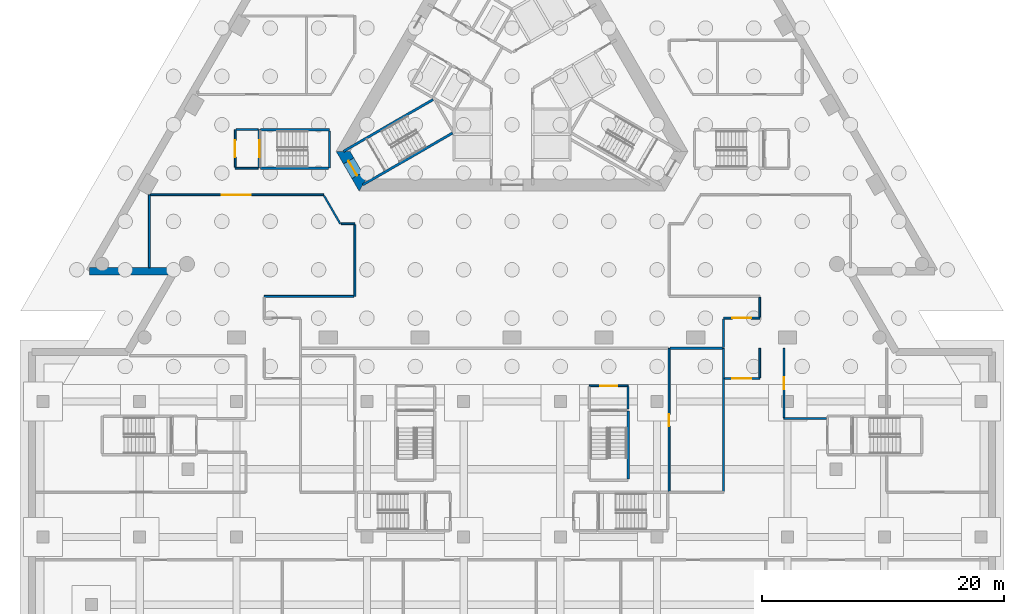
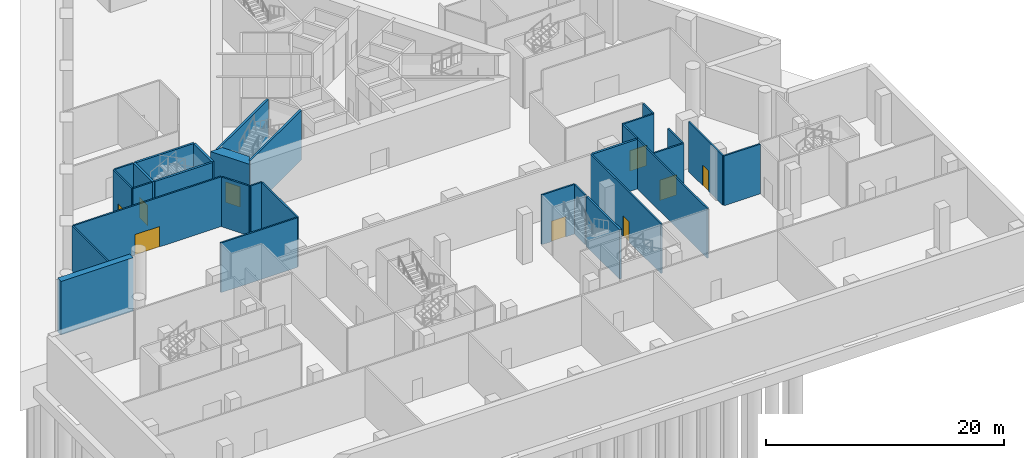
# One storey, part 5 of 20: 30 walls, 9 doors, 9 openings.
"""IFC4 building model written with IfcOpenShell, lengths in metres."""

from ifc_helpers import new_model, si_unit, direction, frame, frame_2d, origin, place, context, subcontext, project, spatial, polyline, rectangle, outline, extrude, material, layer, layer_set, type_object, element, fill, save


model = new_model("IFC4")

# Units and contexts
model_context = context("Model", 3, precision=1e-05, world=origin(), true_north=direction((0.0, 1.0)))
body_context = subcontext(model_context, "Body", "Model", "MODEL_VIEW")
ifc_project = project(units=[si_unit("LENGTHUNIT", "METRE"), si_unit("AREAUNIT", "SQUARE_METRE"), si_unit("VOLUMEUNIT", "CUBIC_METRE"), si_unit("PLANEANGLEUNIT", "RADIAN"), si_unit("MASSUNIT", "GRAM", prefix="KILO")], contexts=[model_context])

# Site, building, storey
site_placement = place(None, origin())
site = spatial("IfcSite", under=ifc_project, at=site_placement, CompositionType="ELEMENT")
building_placement = place(site_placement, origin())
building = spatial("IfcBuilding", under=site, at=building_placement, Name="Triada Interchange Tower", CompositionType="ELEMENT")
storey_placement = place(building_placement, frame((0.0, 0.0, -5.5)))
storey = spatial("IfcBuildingStorey", under=building, at=storey_placement, Name="B1", CompositionType="ELEMENT", Elevation=-5.5)

# Walls
ifc_material_1 = material(Name="Concrete C30/37", Category="concrete")
ifc_layer_1 = layer(ifc_material_1, 0.60009765625)
ifc_layer_set_1 = layer_set([ifc_layer_1], Name="Basement retaining wall 600")
wall_type_1 = type_object("IfcWallType", Name="Basement retaining wall 600", PredefinedType="SOLIDWALL", material=ifc_layer_set_1)
wall_1_placement = place(storey_placement, frame((-34.944091796875, -16.125, -0.39990234375), z_axis=(0.0, 0.0, 1.0), x_axis=(1.0, 0.0, 0.0)))
element("IfcWall", 1, at=wall_1_placement, inside=storey, type_object=wall_type_1, Name="Retaining wall 09", PredefinedType="SOLIDWALL", context=body_context, shape_type="SweptSolid", body=[
    extrude(rectangle(XDim=7.01513671875, YDim=0.60009765625, at=frame_2d((3.507568359375, 0.0))), origin(), (0.0, 0.0, 1.0), 5.5),
])
ifc_layer_2 = layer(ifc_material_1, 0.199951171875)
ifc_layer_set_2 = layer_set([ifc_layer_2], Name="COMPARTMENT WALL 200 EI 180")
wall_type_2 = type_object("IfcWallType", Name="COMPARTMENT WALL 200 EI 180", PredefinedType="SOLIDWALL", material=ifc_layer_set_2)
wall_2_placement = place(storey_placement, frame((13.074951171875, -22.5, 0.0), z_axis=(0.0, 0.0, 1.0), x_axis=(1.0, 0.0, 0.0)))
element("IfcWall", 2, at=wall_2_placement, inside=storey, type_object=wall_type_2, Name="Compartment wall B1 32", PredefinedType="SOLIDWALL", context=body_context, shape_type="SweptSolid", body=[
    extrude(rectangle(XDim=4.35009765625, YDim=0.199951171875, at=frame_2d((2.175048828125, 0.0))), origin(), (0.0, 0.0, 1.0), 5.10009765625),
])
ifc_layer_3 = layer(ifc_material_1, 0.199951171875)
ifc_layer_set_3 = layer_set([ifc_layer_3], Name="CORE WALL 200 REI 240")
wall_type_3 = type_object("IfcWallType", Name="CORE WALL 200 REI 240", PredefinedType="SOLIDWALL", material=ifc_layer_set_3)
wall_3_placement = place(storey_placement, frame((-13.946044921875, -6.2041015625, 0.0), z_axis=(0.0, 0.0, 1.0), x_axis=(0.866036527536, 0.499980732602, 0.0)))
element("IfcWall", 3, at=wall_3_placement, inside=storey, type_object=wall_type_3, Name="Wall B1 117", PredefinedType="SOLIDWALL", context=body_context, shape_type="SweptSolid", body=[
    extrude(rectangle(XDim=8.564208984375, YDim=0.199951171875, at=frame_2d((4.2822265625, 0.0))), origin(), (0.0, 0.0, 1.0), 5.10009765625),
])
wall_4_placement = place(storey_placement, frame((-12.345947265625, -8.97607421875, 0.0), z_axis=(0.0, 0.0, 1.0), x_axis=(0.866006929508, 0.50003199702, 0.0)))
element("IfcWall", 4, at=wall_4_placement, inside=storey, type_object=wall_type_3, Name="Wall B1 119", PredefinedType="SOLIDWALL", context=body_context, shape_type="SweptSolid", body=[
    extrude(rectangle(XDim=8.57958984375, YDim=0.199951171875, at=frame_2d((4.289794921875, 0.0))), origin(), (0.0, 0.0, 1.0), 5.10009765625),
])

# Wall, opening, door
wall_5_placement = place(storey_placement, frame((-20.89990234375, -7.60009765625, 0.0), z_axis=(0.0, 0.0, 1.0), x_axis=(0.0, 1.0, 0.0)))
wall_5 = element("IfcWall", 5, at=wall_5_placement, inside=storey, type_object=wall_type_3, Name="Wall B1 132", PredefinedType="SOLIDWALL", context=body_context, shape_type="SweptSolid", body=[
    extrude(rectangle(XDim=3.2001953125, YDim=0.199951171875, at=frame_2d((1.60009765625, 0.0))), origin(), (0.0, 0.0, 1.0), 5.10009765625),
])
opening_1_placement = place(wall_5_placement, frame((0.89990234375, 0.0, 0.0)))
opening_1 = element("IfcOpeningElement", 6, at=opening_1_placement, cuts=wall_5, Name="Opening D1-13", PredefinedType="OPENING", context=body_context, shape_type="SweptSolid", body=[
    extrude(rectangle(XDim=1.39990234375, YDim=2.10009765625, at=frame_2d((0.699951171875, 1.050048828125))), frame((0.0, 0.10986328125, 0.0), z_axis=(0.0, -1.0, 0.0), x_axis=(1.0, 0.0, 0.0)), (0.0, 0.0, 1.0), 0.219970703125),
])
ifc_material_2 = material(Name="Steel S235 door leaf", Category="steel")
door_type_1 = type_object("IfcDoorType", Name="STAIR DOOR 1400 EI2 90-C5S200", OperationType="DOUBLE_DOOR_SINGLE_SWING", PredefinedType="DOOR", material=ifc_material_2)
door_1_placement = place(opening_1_placement, origin())
door_1 = element("IfcDoor", 7, at=door_1_placement, inside=storey, type_object=door_type_1, Name="Door D1-13 B1", OperationType="DOUBLE_DOOR_SINGLE_SWING", OverallHeight=2.10009765625, OverallWidth=1.39990234375, PredefinedType="DOOR", context=body_context, shape_type="SweptSolid", body=[
    extrude(rectangle(XDim=1.39990234375, YDim=2.10009765625, at=frame_2d((0.699951171875, 1.050048828125))), frame((0.0, 0.02490234375, 0.0), z_axis=(0.0, -1.0, 0.0), x_axis=(1.0, 0.0, 0.0)), (0.0, 0.0, 1.0), 0.050048828125),
])
fill(opening_1, door_1)

# Walls
wall_6_placement = place(storey_placement, frame((-20.800048828125, -4.39990234375, 0.0), z_axis=(0.0, 0.0, 1.0), x_axis=(1.0, 0.0, 0.0)))
element("IfcWall", 8, at=wall_6_placement, inside=storey, type_object=wall_type_3, Name="Wall B1 133", PredefinedType="SOLIDWALL", context=body_context, shape_type="SweptSolid", body=[
    extrude(rectangle(XDim=5.699951171875, YDim=0.199951171875, at=frame_2d((2.85009765625, 0.0))), origin(), (0.0, 0.0, 1.0), 5.10009765625),
])
wall_7_placement = place(storey_placement, frame((-15.10009765625, -7.60009765625, 0.0), z_axis=(0.0, 0.0, 1.0), x_axis=(0.0, 1.0, 0.0)))
element("IfcWall", 9, at=wall_7_placement, inside=storey, type_object=wall_type_3, Name="Wall B1 135", PredefinedType="SOLIDWALL", context=body_context, shape_type="SweptSolid", body=[
    extrude(rectangle(XDim=3.10009765625, YDim=0.199951171875, at=frame_2d((1.550048828125, 0.0))), origin(), (0.0, 0.0, 1.0), 5.10009765625),
])
for number, where, z_axis, x_axis, name in (
    (10, (-20.800048828125, -7.60009765625, 0.0), (0.0, 0.0, 1.0), (1.0, 0.0, 0.0), "Wall B1 136"),
    (11, (9.60009765625, -33.300048828125, 0.0), (0.0, 0.0, 1.0), (0.0, 1.0, 0.0), "Wall B1 150"),
):
    element("IfcWall", number, at=place(storey_placement, frame(where, z_axis=z_axis, x_axis=x_axis)), inside=storey, type_object=wall_type_3, Name=name, PredefinedType="SOLIDWALL", context=body_context, shape_type="SweptSolid", body=[
        extrude(rectangle(XDim=5.60009765625, YDim=0.199951171875, at=frame_2d((2.800048828125, 0.0))), origin(), (0.0, 0.0, 1.0), 5.10009765625),
    ])

# Wall, opening, door
ifc_material_3 = material(Name="Concrete C70/85", Category="concrete")
ifc_layer_4 = layer(ifc_material_3, 1.0)
ifc_layer_set_4 = layer_set([ifc_layer_4], Name="Core wall P 1000")
wall_type_4 = type_object("IfcWallType", Name="Core wall P 1000", PredefinedType="SHEAR", material=ifc_layer_set_4)
wall_8_placement = place(storey_placement, frame((-13.971923828125, -6.199951171875, -0.39990234375), z_axis=(0.0, 0.0, 1.0), x_axis=(0.500077567175, -0.865980615723, 0.0)))
wall_8 = element("IfcWall", 12, at=wall_8_placement, inside=storey, type_object=wall_type_4, Name="Core wall WP03 B1", PredefinedType="SHEAR", context=body_context, shape_type="SweptSolid", body=[
    extrude(outline(polyline([(-0.2890625, -0.5), (1.616455078125, -0.5), (3.52197265625, -0.5), (2.944091796875, 0.4990234375), (1.61669921875, 0.49951171875), (0.2890625, 0.5), (-0.2890625, -0.5)])), origin(), (0.0, 0.0, 1.0), 5.5),
])
opening_2_placement = place(wall_8_placement, frame((0.9169921875, 0.0, 0.39990234375)))
opening_2 = element("IfcOpeningElement", 13, at=opening_2_placement, cuts=wall_8, Name="Opening D1-46", PredefinedType="OPENING", context=body_context, shape_type="SweptSolid", body=[
    extrude(rectangle(XDim=1.39990234375, YDim=2.10009765625, at=frame_2d((0.699951171875, 1.050048828125))), frame((0.0, 0.510009765625, 0.0), z_axis=(0.0, -1.0, 0.0), x_axis=(1.0, 0.0, 0.0)), (0.0, 0.0, 1.0), 1.02001953125),
])
door_2_placement = place(opening_2_placement, origin())
door_2 = element("IfcDoor", 14, at=door_2_placement, inside=storey, type_object=door_type_1, Name="Door D1-46 B1", OperationType="DOUBLE_DOOR_SINGLE_SWING", OverallHeight=2.10009765625, OverallWidth=1.39990234375, PredefinedType="DOOR", context=body_context, shape_type="SweptSolid", body=[
    extrude(rectangle(XDim=1.39990234375, YDim=2.10009765625, at=frame_2d((0.699951171875, 1.050048828125))), frame((0.0, 0.02490234375, 0.0), z_axis=(0.0, -1.0, 0.0), x_axis=(1.0, 0.0, 0.0)), (0.0, 0.0, 1.0), 0.050048828125),
])
fill(opening_2, door_2)

# Wall
ifc_material_4 = material(Name="Gypsum board partition")
ifc_layer_5 = layer(ifc_material_4, 0.14990234375)
ifc_layer_set_5 = layer_set([ifc_layer_5], Name="PARTITION 150 EI 180")
wall_type_5 = type_object("IfcWallType", Name="PARTITION 150 EI 180", PredefinedType="PARTITIONING", material=ifc_layer_set_5)
wall_9_placement = place(storey_placement, frame((-22.89990234375, -7.60009765625, 0.0), z_axis=(0.0, 0.0, 1.0), x_axis=(1.0, 0.0, 0.0)))
element("IfcWall", 15, at=wall_9_placement, inside=storey, type_object=wall_type_5, Name="Wall B1 7", PredefinedType="PARTITIONING", context=body_context, shape_type="SweptSolid", body=[
    extrude(rectangle(XDim=1.89990234375, YDim=0.14990234375, at=frame_2d((0.949951171875, 0.0))), origin(), (0.0, 0.0, 1.0), 5.10009765625),
])

# Wall, opening, door
wall_10_placement = place(storey_placement, frame((-22.89990234375, -7.52490234375, 0.0), z_axis=(0.0, 0.0, 1.0), x_axis=(0.0, 1.0, 0.0)))
wall_10 = element("IfcWall", 16, at=wall_10_placement, inside=storey, type_object=wall_type_5, Name="Wall B1 9", PredefinedType="PARTITIONING", context=body_context, shape_type="SweptSolid", body=[
    extrude(rectangle(XDim=3.125, YDim=0.14990234375, at=frame_2d((1.5625, 0.0))), origin(), (0.0, 0.0, 1.0), 5.10009765625),
])
opening_3_placement = place(wall_10_placement, frame((0.824951171875, 0.0, 0.0)))
opening_3 = element("IfcOpeningElement", 17, at=opening_3_placement, cuts=wall_10, Name="Opening D1-14", PredefinedType="OPENING", context=body_context, shape_type="SweptSolid", body=[
    extrude(rectangle(XDim=1.39990234375, YDim=2.10009765625, at=frame_2d((0.699951171875, 1.050048828125))), frame((0.0, 0.0849609375, 0.0), z_axis=(0.0, -1.0, 0.0), x_axis=(1.0, 0.0, 0.0)), (0.0, 0.0, 1.0), 0.169921875),
])
door_3_placement = place(opening_3_placement, origin())
door_3 = element("IfcDoor", 18, at=door_3_placement, inside=storey, type_object=door_type_1, Name="Door D1-14 B1", OperationType="DOUBLE_DOOR_SINGLE_SWING", OverallHeight=2.10009765625, OverallWidth=1.39990234375, PredefinedType="DOOR", context=body_context, shape_type="SweptSolid", body=[
    extrude(rectangle(XDim=1.39990234375, YDim=2.10009765625, at=frame_2d((0.699951171875, 1.050048828125))), frame((0.0, 0.02490234375, 0.0), z_axis=(0.0, -1.0, 0.0), x_axis=(1.0, 0.0, 0.0)), (0.0, 0.0, 1.0), 0.050048828125),
])
fill(opening_3, door_3)

# Wall
wall_11_placement = place(storey_placement, frame((-22.824951171875, -4.39990234375, 0.0), z_axis=(0.0, 0.0, 1.0), x_axis=(1.0, 0.0, 0.0)))
element("IfcWall", 19, at=wall_11_placement, inside=storey, type_object=wall_type_5, Name="Wall B1 10", PredefinedType="PARTITIONING", context=body_context, shape_type="SweptSolid", body=[
    extrude(rectangle(XDim=1.824951171875, YDim=0.14990234375, at=frame_2d((0.91259765625, 0.0))), origin(), (0.0, 0.0, 1.0), 5.10009765625),
])

# Wall, opening, door
wall_12_placement = place(storey_placement, frame((6.39990234375, -25.60009765625, 0.0), z_axis=(0.0, 0.0, 1.0), x_axis=(1.0, 0.0, 0.0)))
wall_12 = element("IfcWall", 20, at=wall_12_placement, inside=storey, type_object=wall_type_5, Name="Wall B1 15", PredefinedType="PARTITIONING", context=body_context, shape_type="SweptSolid", body=[
    extrude(rectangle(XDim=3.2001953125, YDim=0.14990234375, at=frame_2d((1.60009765625, 0.0))), origin(), (0.0, 0.0, 1.0), 5.10009765625),
])
opening_4_placement = place(wall_12_placement, frame((0.89990234375, 0.0, 0.0)))
opening_4 = element("IfcOpeningElement", 21, at=opening_4_placement, cuts=wall_12, Name="Opening D1-22", PredefinedType="OPENING", context=body_context, shape_type="SweptSolid", body=[
    extrude(rectangle(XDim=1.39990234375, YDim=2.10009765625, at=frame_2d((0.699951171875, 1.050048828125))), frame((0.0, 0.0849609375, 0.0), z_axis=(0.0, -1.0, 0.0), x_axis=(1.0, 0.0, 0.0)), (0.0, 0.0, 1.0), 0.169921875),
])
door_4_placement = place(opening_4_placement, origin())
door_4 = element("IfcDoor", 22, at=door_4_placement, inside=storey, type_object=door_type_1, Name="Door D1-22 B1", OperationType="DOUBLE_DOOR_SINGLE_SWING", OverallHeight=2.10009765625, OverallWidth=1.39990234375, PredefinedType="DOOR", context=body_context, shape_type="SweptSolid", body=[
    extrude(rectangle(XDim=1.39990234375, YDim=2.10009765625, at=frame_2d((0.699951171875, 1.050048828125))), frame((0.0, 0.02490234375, 0.0), z_axis=(0.0, -1.0, 0.0), x_axis=(1.0, 0.0, 0.0)), (0.0, 0.0, 1.0), 0.050048828125),
])
fill(opening_4, door_4)

# Walls
wall_13_placement = place(storey_placement, frame((9.60009765625, -27.5, 0.0), z_axis=(0.0, 0.0, 1.0), x_axis=(0.0, 1.0, 0.0)))
element("IfcWall", 23, at=wall_13_placement, inside=storey, type_object=wall_type_5, Name="Wall B1 27", PredefinedType="PARTITIONING", context=body_context, shape_type="SweptSolid", body=[
    extrude(rectangle(XDim=1.824951171875, YDim=0.14990234375, at=frame_2d((0.91259765625, 0.0))), origin(), (0.0, 0.0, 1.0), 5.10009765625),
])
wall_14_placement = place(storey_placement, frame((17.5, -34.324951171875, 0.0), z_axis=(0.0, 0.0, 1.0), x_axis=(0.0, 1.0, 0.0)))
element("IfcWall", 24, at=wall_14_placement, inside=storey, type_object=wall_type_5, Name="Wall B1 30", PredefinedType="PARTITIONING", context=body_context, shape_type="SweptSolid", body=[
    extrude(rectangle(XDim=11.824951171875, YDim=0.14990234375, at=frame_2d((5.91259765625, 0.0))), origin(), (0.0, 0.0, 1.0), 5.10009765625),
])

# Wall, opening, door
wall_15_placement = place(storey_placement, frame((13.0, -34.324951171875, 0.0), z_axis=(0.0, 0.0, 1.0), x_axis=(0.0, 1.0, 0.0)))
wall_15 = element("IfcWall", 25, at=wall_15_placement, inside=storey, type_object=wall_type_5, Name="Wall B1 31", PredefinedType="PARTITIONING", context=body_context, shape_type="SweptSolid", body=[
    extrude(rectangle(XDim=11.824951171875, YDim=0.14990234375, at=frame_2d((5.91259765625, 0.0))), origin(), (0.0, 0.0, 1.0), 5.10009765625),
])
opening_5_placement = place(wall_15_placement, frame((5.375, 0.0, 0.0)))
opening_5 = element("IfcOpeningElement", 26, at=opening_5_placement, cuts=wall_15, Name="Opening D1-33", PredefinedType="OPENING", context=body_context, shape_type="SweptSolid", body=[
    extrude(rectangle(XDim=1.0, YDim=2.10009765625, at=frame_2d((0.5, 1.050048828125))), frame((0.0, 0.0849609375, 0.0), z_axis=(0.0, -1.0, 0.0), x_axis=(1.0, 0.0, 0.0)), (0.0, 0.0, 1.0), 0.169921875),
])
door_type_2 = type_object("IfcDoorType", Name="ROOM DOOR 1000 EI2 45-C5S200", OperationType="NOTDEFINED", PredefinedType="DOOR", material=ifc_material_2)
door_5_placement = place(opening_5_placement, origin())
door_5 = element("IfcDoor", 27, at=door_5_placement, inside=storey, type_object=door_type_2, Name="Door D1-33 B1", OperationType="SINGLE_SWING_RIGHT", OverallHeight=2.10009765625, OverallWidth=1.0, PredefinedType="DOOR", context=body_context, shape_type="SweptSolid", body=[
    extrude(rectangle(XDim=1.0, YDim=2.10009765625, at=frame_2d((0.5, 1.050048828125))), frame((0.0, 0.02490234375, 0.0), z_axis=(0.0, -1.0, 0.0), x_axis=(1.0, 0.0, 0.0)), (0.0, 0.0, 1.0), 0.050048828125),
])
fill(opening_5, door_5)

# Wall
wall_16_placement = place(storey_placement, frame((22.5, -28.300048828125, 0.0), z_axis=(0.0, 0.0, 1.0), x_axis=(1.0, 0.0, 0.0)))
element("IfcWall", 28, at=wall_16_placement, inside=storey, type_object=wall_type_5, Name="Wall B1 35", PredefinedType="PARTITIONING", context=body_context, shape_type="SweptSolid", body=[
    extrude(rectangle(XDim=3.52490234375, YDim=0.14990234375, at=frame_2d((1.762451171875, 0.0))), origin(), (0.0, 0.0, 1.0), 5.10009765625),
])

# Wall, opening, door
wall_17_placement = place(storey_placement, frame((22.5, -28.22509765625, 0.0), z_axis=(0.0, 0.0, 1.0), x_axis=(0.0, 1.0, 0.0)))
wall_17 = element("IfcWall", 29, at=wall_17_placement, inside=storey, type_object=wall_type_5, Name="Wall B1 36", PredefinedType="PARTITIONING", context=body_context, shape_type="SweptSolid", body=[
    extrude(rectangle(XDim=5.72509765625, YDim=0.14990234375, at=frame_2d((2.862548828125, 0.0))), origin(), (0.0, 0.0, 1.0), 5.10009765625),
])
opening_6_placement = place(wall_17_placement, frame((2.324951171875, 0.0, 0.0)))
opening_6 = element("IfcOpeningElement", 30, at=opening_6_placement, cuts=wall_17, Name="Opening D1-34", PredefinedType="OPENING", context=body_context, shape_type="SweptSolid", body=[
    extrude(rectangle(XDim=1.0, YDim=2.10009765625, at=frame_2d((0.5, 1.050048828125))), frame((0.0, 0.0849609375, 0.0), z_axis=(0.0, -1.0, 0.0), x_axis=(1.0, 0.0, 0.0)), (0.0, 0.0, 1.0), 0.169921875),
])
door_6_placement = place(opening_6_placement, origin())
door_6 = element("IfcDoor", 31, at=door_6_placement, inside=storey, type_object=door_type_2, Name="Door D1-34 B1", OperationType="SINGLE_SWING_LEFT", OverallHeight=2.10009765625, OverallWidth=1.0, PredefinedType="DOOR", context=body_context, shape_type="SweptSolid", body=[
    extrude(rectangle(XDim=1.0, YDim=2.10009765625, at=frame_2d((0.5, 1.050048828125))), frame((0.0, 0.02490234375, 0.0), z_axis=(0.0, -1.0, 0.0), x_axis=(1.0, 0.0, 0.0)), (0.0, 0.0, 1.0), 0.050048828125),
])
fill(opening_6, door_6)

ifc_layer_6 = layer(ifc_material_4, 0.14990234375)
ifc_layer_set_6 = layer_set([ifc_layer_6], Name="PARTITION 150 EI 90")
wall_type_6 = type_object("IfcWallType", Name="PARTITION 150 EI 90", PredefinedType="PARTITIONING", material=ifc_layer_set_6)
wall_18_placement = place(storey_placement, frame((17.5, -20.0, 0.0), z_axis=(0.0, 0.0, 1.0), x_axis=(1.0, 0.0, 0.0)))
wall_18 = element("IfcWall", 32, at=wall_18_placement, inside=storey, type_object=wall_type_6, Name="Wall B1 41", PredefinedType="PARTITIONING", context=body_context, shape_type="SweptSolid", body=[
    extrude(rectangle(XDim=3.0, YDim=0.14990234375, at=frame_2d((1.5, 0.0))), origin(), (0.0, 0.0, 1.0), 5.10009765625),
])
opening_7_placement = place(wall_18_placement, frame((0.699951171875, 0.0, 0.0)))
opening_7 = element("IfcOpeningElement", 33, at=opening_7_placement, cuts=wall_18, Name="Opening D1-08", PredefinedType="OPENING", context=body_context, shape_type="SweptSolid", body=[
    extrude(rectangle(XDim=1.60009765625, YDim=2.10009765625, at=frame_2d((0.800048828125, 1.050048828125))), frame((0.0, 0.0849609375, 0.0), z_axis=(0.0, -1.0, 0.0), x_axis=(1.0, 0.0, 0.0)), (0.0, 0.0, 1.0), 0.169921875),
])
door_type_3 = type_object("IfcDoorType", Name="STAIR DOOR 1600 EI2 90-C5S200", OperationType="DOUBLE_DOOR_SINGLE_SWING", PredefinedType="DOOR", material=ifc_material_2)
door_7_placement = place(opening_7_placement, origin())
door_7 = element("IfcDoor", 34, at=door_7_placement, inside=storey, type_object=door_type_3, Name="Door D1-08 B1", OperationType="DOUBLE_DOOR_SINGLE_SWING", OverallHeight=2.10009765625, OverallWidth=1.60009765625, PredefinedType="DOOR", context=body_context, shape_type="SweptSolid", body=[
    extrude(rectangle(XDim=1.60009765625, YDim=2.10009765625, at=frame_2d((0.800048828125, 1.050048828125))), frame((0.0, 0.02490234375, 0.0), z_axis=(0.0, -1.0, 0.0), x_axis=(1.0, 0.0, 0.0)), (0.0, 0.0, 1.0), 0.050048828125),
])
fill(opening_7, door_7)

wall_19_placement = place(storey_placement, frame((17.574951171875, -25.0, 0.0), z_axis=(0.0, 0.0, 1.0), x_axis=(1.0, 0.0, 0.0)))
wall_19 = element("IfcWall", 35, at=wall_19_placement, inside=storey, type_object=wall_type_6, Name="Wall B1 44", PredefinedType="PARTITIONING", context=body_context, shape_type="SweptSolid", body=[
    extrude(rectangle(XDim=2.925048828125, YDim=0.14990234375, at=frame_2d((1.46240234375, 0.0))), origin(), (0.0, 0.0, 1.0), 5.10009765625),
])
opening_8_placement = place(wall_19_placement, frame((0.625, 0.0, 0.0)))
opening_8 = element("IfcOpeningElement", 36, at=opening_8_placement, cuts=wall_19, Name="Opening D1-07", PredefinedType="OPENING", context=body_context, shape_type="SweptSolid", body=[
    extrude(rectangle(XDim=1.60009765625, YDim=2.10009765625, at=frame_2d((0.800048828125, 1.050048828125))), frame((0.0, 0.0849609375, 0.0), z_axis=(0.0, -1.0, 0.0), x_axis=(1.0, 0.0, 0.0)), (0.0, 0.0, 1.0), 0.169921875),
])
door_8_placement = place(opening_8_placement, origin())
door_8 = element("IfcDoor", 37, at=door_8_placement, inside=storey, type_object=door_type_3, Name="Door D1-07 B1", OperationType="DOUBLE_DOOR_SINGLE_SWING", OverallHeight=2.10009765625, OverallWidth=1.60009765625, PredefinedType="DOOR", context=body_context, shape_type="SweptSolid", body=[
    extrude(rectangle(XDim=1.60009765625, YDim=2.10009765625, at=frame_2d((0.800048828125, 1.050048828125))), frame((0.0, 0.02490234375, 0.0), z_axis=(0.0, -1.0, 0.0), x_axis=(1.0, 0.0, 0.0)), (0.0, 0.0, 1.0), 0.050048828125),
])
fill(opening_8, door_8)

# Walls
wall_20_placement = place(storey_placement, frame((20.5, -24.925048828125, 0.0), z_axis=(0.0, 0.0, 1.0), x_axis=(0.0, 1.0, 0.0)))
element("IfcWall", 38, at=wall_20_placement, inside=storey, type_object=wall_type_6, Name="Wall B1 46", PredefinedType="PARTITIONING", context=body_context, shape_type="SweptSolid", body=[
    extrude(rectangle(XDim=2.427001953125, YDim=0.14990234375, at=frame_2d((1.21337890625, 0.0))), origin(), (0.0, 0.0, 1.0), 5.10009765625),
])
wall_21_placement = place(storey_placement, frame((17.5, -22.427001953125, 0.0), z_axis=(0.0, 0.0, 1.0), x_axis=(0.0, 1.0, 0.0)))
element("IfcWall", 39, at=wall_21_placement, inside=storey, type_object=wall_type_6, Name="Wall B1 47", PredefinedType="PARTITIONING", context=body_context, shape_type="SweptSolid", body=[
    extrude(rectangle(XDim=2.35205078125, YDim=0.14990234375, at=frame_2d((1.176025390625, 0.0))), origin(), (0.0, 0.0, 1.0), 5.10009765625),
])
wall_22_placement = place(storey_placement, frame((-30.0, -15.824951171875, 0.0), z_axis=(0.0, 0.0, 1.0), x_axis=(0.0, 1.0, 0.0)))
element("IfcWall", 40, at=wall_22_placement, inside=storey, type_object=wall_type_6, Name="Wall B1 56", PredefinedType="PARTITIONING", context=body_context, shape_type="SweptSolid", body=[
    extrude(rectangle(XDim=6.02490234375, YDim=0.14990234375, at=frame_2d((3.012451171875, 0.0))), origin(), (0.0, 0.0, 1.0), 5.10009765625),
])

# Wall, opening, door
wall_23_placement = place(storey_placement, frame((-29.925048828125, -9.800048828125, 0.0), z_axis=(0.0, 0.0, 1.0), x_axis=(1.0, 0.0, 0.0)))
wall_23 = element("IfcWall", 41, at=wall_23_placement, inside=storey, type_object=wall_type_6, Name="Wall B1 57", PredefinedType="PARTITIONING", context=body_context, shape_type="SweptSolid", body=[
    extrude(rectangle(XDim=14.337158203125, YDim=0.14990234375, at=frame_2d((7.16845703125, 0.0))), origin(), (0.0, 0.0, 1.0), 5.10009765625),
])
opening_9_placement = place(wall_23_placement, frame((5.930908203125, 0.0, 0.0)))
opening_9 = element("IfcOpeningElement", 42, at=opening_9_placement, cuts=wall_23, Name="Opening D1-36", PredefinedType="OPENING", context=body_context, shape_type="SweptSolid", body=[
    extrude(rectangle(XDim=2.39990234375, YDim=2.10009765625, at=frame_2d((1.199951171875, 1.050048828125))), frame((0.0, 0.0849609375, 0.0), z_axis=(0.0, -1.0, 0.0), x_axis=(1.0, 0.0, 0.0)), (0.0, 0.0, 1.0), 0.169921875),
])
door_type_4 = type_object("IfcDoorType", Name="SHOP AND HALL ENTRANCE DOOR 2400 EI2 45-C5S200", OperationType="DOUBLE_DOOR_SINGLE_SWING", PredefinedType="DOOR", material=ifc_material_2)
door_9_placement = place(opening_9_placement, origin())
door_9 = element("IfcDoor", 43, at=door_9_placement, inside=storey, type_object=door_type_4, Name="Door D1-36 B1", OperationType="DOUBLE_DOOR_SINGLE_SWING", OverallHeight=2.10009765625, OverallWidth=2.39990234375, PredefinedType="DOOR", context=body_context, shape_type="SweptSolid", body=[
    extrude(rectangle(XDim=2.39990234375, YDim=2.10009765625, at=frame_2d((1.199951171875, 1.050048828125))), frame((0.0, 0.02490234375, 0.0), z_axis=(0.0, -1.0, 0.0), x_axis=(1.0, 0.0, 0.0)), (0.0, 0.0, 1.0), 0.050048828125),
])
fill(opening_9, door_9)

# Walls
wall_24_placement = place(storey_placement, frame((-15.544921875, -9.875, 0.0), z_axis=(0.0, 0.0, 1.0), x_axis=(0.4999245174, -0.866068979298, 0.0)))
element("IfcWall", 44, at=wall_24_placement, inside=storey, type_object=wall_type_6, Name="Wall B1 59", PredefinedType="PARTITIONING", context=body_context, shape_type="SweptSolid", body=[
    extrude(rectangle(XDim=2.6845703125, YDim=0.14990234375, at=frame_2d((1.34228515625, 0.0))), origin(), (0.0, 0.0, 1.0), 5.10009765625),
])
wall_25_placement = place(storey_placement, frame((-14.115966796875, -12.199951171875, 0.0), z_axis=(0.0, 0.0, 1.0), x_axis=(1.0, 0.0, 0.0)))
element("IfcWall", 45, at=wall_25_placement, inside=storey, type_object=wall_type_6, Name="Wall B1 60", PredefinedType="PARTITIONING", context=body_context, shape_type="SweptSolid", body=[
    extrude(rectangle(XDim=1.115966796875, YDim=0.14990234375, at=frame_2d((0.55810546875, 0.0))), origin(), (0.0, 0.0, 1.0), 5.10009765625),
])
wall_26_placement = place(storey_placement, frame((-13.0, -18.199951171875, 0.0), z_axis=(0.0, 0.0, 1.0), x_axis=(0.0, 1.0, 0.0)))
element("IfcWall", 46, at=wall_26_placement, inside=storey, type_object=wall_type_6, Name="Wall B1 63", PredefinedType="PARTITIONING", context=body_context, shape_type="SweptSolid", body=[
    extrude(rectangle(XDim=5.925048828125, YDim=0.14990234375, at=frame_2d((2.96240234375, 0.0))), origin(), (0.0, 0.0, 1.0), 5.10009765625),
])
wall_27_placement = place(storey_placement, frame((-20.5, -18.199951171875, 0.0), z_axis=(0.0, 0.0, 1.0), x_axis=(1.0, 0.0, 0.0)))
element("IfcWall", 47, at=wall_27_placement, inside=storey, type_object=wall_type_6, Name="Wall B1 65", PredefinedType="PARTITIONING", context=body_context, shape_type="SweptSolid", body=[
    extrude(rectangle(XDim=7.425048828125, YDim=0.14990234375, at=frame_2d((3.71240234375, 0.0))), origin(), (0.0, 0.0, 1.0), 5.10009765625),
])
wall_28_placement = place(storey_placement, frame((20.5, -19.925048828125, 0.0), z_axis=(0.0, 0.0, 1.0), x_axis=(0.0, 1.0, 0.0)))
element("IfcWall", 48, at=wall_28_placement, inside=storey, type_object=wall_type_6, Name="Wall B1 86", PredefinedType="PARTITIONING", context=body_context, shape_type="SweptSolid", body=[
    extrude(rectangle(XDim=1.650146484375, YDim=0.14990234375, at=frame_2d((0.8251953125, 0.0))), origin(), (0.0, 0.0, 1.0), 5.10009765625),
])

save(model, "model.ifc")
